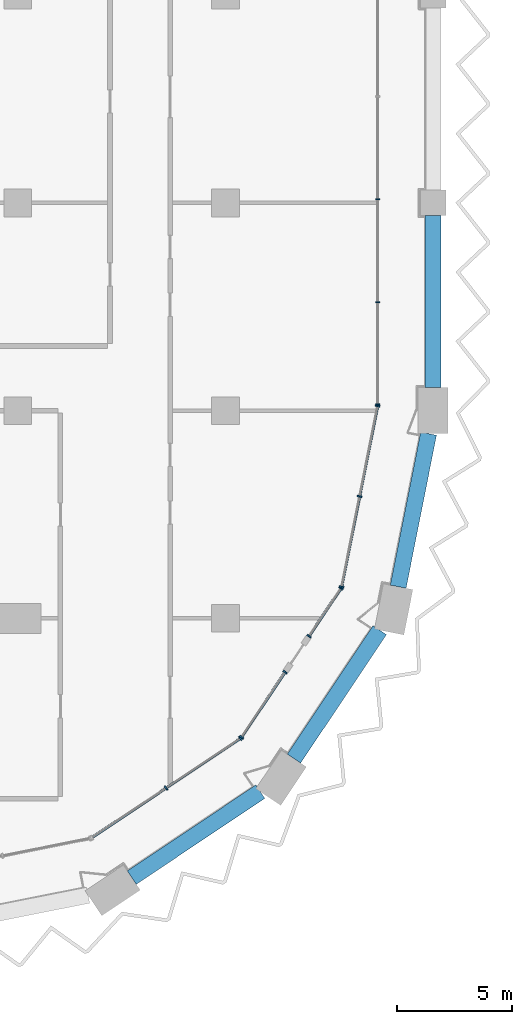
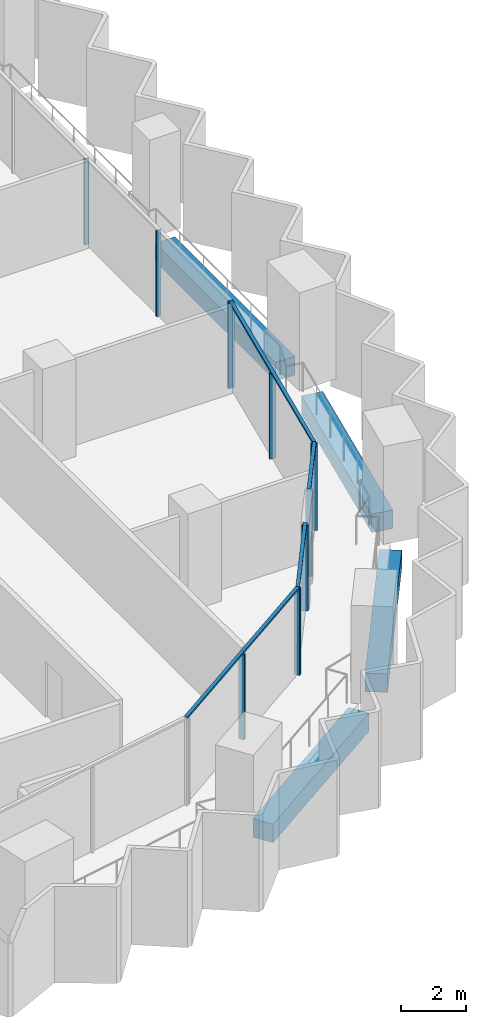
# One storey, part 4 of 23: 16 members, 4 beams, 5 elements without a shape of their own.
"""IFC4 building model written with IfcOpenShell, lengths in metres."""

from ifc_helpers import new_model, si_unit, direction, frame, origin, origin_2d, place, context, subcontext, project, spatial, rectangle, extrude, material, material_profile, profile_set, type_object, element, aggregate, save


model = new_model("IFC4")

# Units and contexts
model_context = context("Model", 3, precision=1e-05, world=origin(), true_north=direction((0.0, 1.0)))
body_context = subcontext(model_context, "Body", "Model", "MODEL_VIEW")
ifc_project = project(units=[si_unit("LENGTHUNIT", "METRE"), si_unit("AREAUNIT", "SQUARE_METRE"), si_unit("VOLUMEUNIT", "CUBIC_METRE"), si_unit("PLANEANGLEUNIT", "RADIAN"), si_unit("MASSUNIT", "GRAM", prefix="KILO")], contexts=[model_context])

# Site, building, storey
site_placement = place(None, origin())
site = spatial("IfcSite", under=ifc_project, at=site_placement, CompositionType="ELEMENT")
building_placement = place(site_placement, origin())
building = spatial("IfcBuilding", under=site, at=building_placement, Name="Hunhe Ridgeline Campus", CompositionType="ELEMENT")
storey_placement = place(building_placement, frame((0.0, 0.0, 167.10009765625)))
storey = spatial("IfcBuildingStorey", under=building, at=storey_placement, Name="L42", CompositionType="ELEMENT", Elevation=167.10009765625)

# Curtain wall, members
ifc_material_1 = material(Name="Aluminium 6063", Category="aluminium")
curtain_wall_type_1 = type_object("IfcCurtainWallType", Name="Curtain wall CW-1", PredefinedType="NOTDEFINED", material=ifc_material_1)
curtain_wall_1_placement = place(storey_placement, origin())
curtain_wall_1 = element("IfcCurtainWall", 1, at=curtain_wall_1_placement, inside=storey, type_object=curtain_wall_type_1, Name="Curtain wall 11", PredefinedType="NOTDEFINED")
ifc_material_profile_1 = material_profile(ifc_material_1, rectangle(XDim=0.159912109375, YDim=0.06005859375, at=origin_2d()))
ifc_profile_set_1 = profile_set([ifc_material_profile_1], Name="Aluminium 6063")
member_type_1 = type_object("IfcMemberType", Name="CW-1 aluminium mullion", PredefinedType="MULLION", material=ifc_profile_set_1)
member_1_placement = place(storey_placement, frame((42.59912109375, 27.266357421875, 0.0), z_axis=(0.0, 0.0, 1.0), x_axis=(-0.99999999999, 4.408911e-06, 0.0)))
member_1 = element("IfcMember", 2, at=member_1_placement, type_object=member_type_1, Name="CW-1 mullion 1", PredefinedType="MULLION", context=body_context, shape_type="SweptSolid", body=[
    extrude(rectangle(XDim=0.159912109375, YDim=0.06005859375, at=origin_2d()), origin(), (0.0, 0.0, 1.0), 3.239990234375),
])
member_2_placement = place(storey_placement, frame((42.59912109375, 31.697021484375, 0.0), z_axis=(0.0, 0.0, 1.0), x_axis=(-0.99999999999, 4.408911e-06, 0.0)))
member_2 = element("IfcMember", 3, at=member_2_placement, type_object=member_type_1, Name="CW-1 mullion 2", PredefinedType="MULLION", context=body_context, shape_type="SweptSolid", body=[
    extrude(rectangle(XDim=0.159912109375, YDim=0.06005859375, at=origin_2d()), origin(), (0.0, 0.0, 1.0), 3.239990234375),
])
member_3_placement = place(storey_placement, frame((42.59912109375, 36.15771484375, 0.0), z_axis=(0.0, 0.0, 1.0), x_axis=(-0.99999999999, 4.408911e-06, 0.0)))
member_3 = element("IfcMember", 4, at=member_3_placement, type_object=member_type_1, Name="CW-1 mullion 3", PredefinedType="MULLION", context=body_context, shape_type="SweptSolid", body=[
    extrude(rectangle(XDim=0.159912109375, YDim=0.06005859375, at=origin_2d()), origin(), (0.0, 0.0, 1.0), 3.239990234375),
])
aggregate(curtain_wall_1, [member_1, member_2, member_3])

curtain_wall_type_2 = type_object("IfcCurtainWallType", Name="Curtain wall CW-5", PredefinedType="NOTDEFINED", material=ifc_material_1)
curtain_wall_2_placement = place(storey_placement, origin())
curtain_wall_2 = element("IfcCurtainWall", 5, at=curtain_wall_2_placement, inside=storey, type_object=curtain_wall_type_2, Name="Curtain wall 07", PredefinedType="NOTDEFINED")
ifc_material_profile_2 = material_profile(ifc_material_1, rectangle(XDim=0.199951171875, YDim=0.070068359375, at=origin_2d()))
ifc_profile_set_2 = profile_set([ifc_material_profile_2], Name="Aluminium 6063")
member_type_2 = type_object("IfcMemberType", Name="CW-5 aluminium mullion", PredefinedType="MULLION", material=ifc_profile_set_2)
member_4_placement = place(storey_placement, frame((33.42626953125, 10.647705078125, 0.0), z_axis=(0.0, 0.0, 1.0), x_axis=(-0.555570274596, 0.831469584522, 0.0)))
member_4 = element("IfcMember", 6, at=member_4_placement, type_object=member_type_2, Name="CW-5 mullion 2", PredefinedType="MULLION", context=body_context, shape_type="SweptSolid", body=[
    extrude(rectangle(XDim=0.199951171875, YDim=0.070068359375, at=origin_2d()), origin(), (0.0, 0.0, 1.0), 3.22998046875),
])
member_5_placement = place(storey_placement, frame((36.649658203125, 12.8017578125, 0.0), z_axis=(0.0, 0.0, 1.0), x_axis=(-0.555570274596, 0.831469584522, 0.0)))
member_5 = element("IfcMember", 7, at=member_5_placement, type_object=member_type_2, Name="CW-5 mullion 3", PredefinedType="MULLION", context=body_context, shape_type="SweptSolid", body=[
    extrude(rectangle(XDim=0.199951171875, YDim=0.070068359375, at=origin_2d()), origin(), (0.0, 0.0, 1.0), 3.22998046875),
])

curtain_wall_3_placement = place(storey_placement, origin())
curtain_wall_3 = element("IfcCurtainWall", 8, at=curtain_wall_3_placement, inside=storey, type_object=curtain_wall_type_2, Name="Curtain wall 08", PredefinedType="NOTDEFINED")
member_6_placement = place(storey_placement, frame((36.6982421875, 12.850341796875, 0.0), z_axis=(0.0, 0.0, 1.0), x_axis=(-0.831469595944, 0.555570257501, 0.0)))
member_6 = element("IfcMember", 9, at=member_6_placement, type_object=member_type_2, Name="CW-5 mullion 1", PredefinedType="MULLION", context=body_context, shape_type="SweptSolid", body=[
    extrude(rectangle(XDim=0.199951171875, YDim=0.070068359375, at=origin_2d()), origin(), (0.0, 0.0, 1.0), 3.22998046875),
])
member_7_placement = place(storey_placement, frame((38.582763671875, 15.67041015625, 0.0), z_axis=(0.0, 0.0, 1.0), x_axis=(-0.831469595944, 0.555570257501, 0.0)))
member_7 = element("IfcMember", 10, at=member_7_placement, type_object=member_type_2, Name="CW-5 mullion 2", PredefinedType="MULLION", context=body_context, shape_type="SweptSolid", body=[
    extrude(rectangle(XDim=0.199951171875, YDim=0.070068359375, at=origin_2d()), origin(), (0.0, 0.0, 1.0), 3.22998046875),
])

curtain_wall_4_placement = place(storey_placement, origin())
curtain_wall_4 = element("IfcCurtainWall", 11, at=curtain_wall_4_placement, inside=storey, type_object=curtain_wall_type_2, Name="Curtain wall 09", PredefinedType="NOTDEFINED")
member_8_placement = place(storey_placement, frame((39.62158203125, 17.225341796875, 0.0), z_axis=(0.0, 0.0, 1.0), x_axis=(-0.831469510353, 0.555570385598, 0.0)))
member_8 = element("IfcMember", 12, at=member_8_placement, type_object=member_type_2, Name="CW-5 mullion 1", PredefinedType="MULLION", context=body_context, shape_type="SweptSolid", body=[
    extrude(rectangle(XDim=0.199951171875, YDim=0.070068359375, at=origin_2d()), origin(), (0.0, 0.0, 1.0), 3.22998046875),
])
member_9_placement = place(storey_placement, frame((41.006103515625, 19.29736328125, 0.0), z_axis=(0.0, 0.0, 1.0), x_axis=(-0.831469510353, 0.555570385598, 0.0)))
member_9 = element("IfcMember", 13, at=member_9_placement, type_object=member_type_2, Name="CW-5 mullion 2", PredefinedType="MULLION", context=body_context, shape_type="SweptSolid", body=[
    extrude(rectangle(XDim=0.199951171875, YDim=0.070068359375, at=origin_2d()), origin(), (0.0, 0.0, 1.0), 3.22998046875),
])

curtain_wall_5_placement = place(storey_placement, origin())
curtain_wall_5 = element("IfcCurtainWall", 14, at=curtain_wall_5_placement, inside=storey, type_object=curtain_wall_type_2, Name="Curtain wall 10", PredefinedType="NOTDEFINED")
member_10_placement = place(storey_placement, frame((41.032470703125, 19.36083984375, 0.0), z_axis=(0.0, 0.0, 1.0), x_axis=(-0.980785284939, 0.195090299215, 0.0)))
member_10 = element("IfcMember", 15, at=member_10_placement, type_object=member_type_2, Name="CW-5 mullion 1", PredefinedType="MULLION", context=body_context, shape_type="SweptSolid", body=[
    extrude(rectangle(XDim=0.199951171875, YDim=0.070068359375, at=origin_2d()), origin(), (0.0, 0.0, 1.0), 3.22998046875),
])
member_11_placement = place(storey_placement, frame((41.812255859375, 23.281494140625, 0.0), z_axis=(0.0, 0.0, 1.0), x_axis=(-0.980785284939, 0.195090299215, 0.0)))
member_11 = element("IfcMember", 16, at=member_11_placement, type_object=member_type_2, Name="CW-5 mullion 2", PredefinedType="MULLION", context=body_context, shape_type="SweptSolid", body=[
    extrude(rectangle(XDim=0.199951171875, YDim=0.070068359375, at=origin_2d()), origin(), (0.0, 0.0, 1.0), 3.22998046875),
])
member_12_placement = place(storey_placement, frame((42.59228515625, 27.2021484375, 0.0), z_axis=(0.0, 0.0, 1.0), x_axis=(-0.980785284939, 0.195090299215, 0.0)))
member_12 = element("IfcMember", 17, at=member_12_placement, type_object=member_type_2, Name="CW-5 mullion 3", PredefinedType="MULLION", context=body_context, shape_type="SweptSolid", body=[
    extrude(rectangle(XDim=0.199951171875, YDim=0.070068359375, at=origin_2d()), origin(), (0.0, 0.0, 1.0), 3.22998046875),
])

# Member
ifc_material_profile_3 = material_profile(ifc_material_1, rectangle(XDim=0.1201171875, YDim=0.070068359375, at=origin_2d()))
ifc_profile_set_3 = profile_set([ifc_material_profile_3], Name="Aluminium 6063")
member_type_3 = type_object("IfcMemberType", Name="CW-5 aluminium transom", PredefinedType="USERDEFINED", material=ifc_profile_set_3)
member_13_placement = place(storey_placement, frame((30.173583984375, 8.474365234375, 3.264892578125), z_axis=(0.831473763475, 0.5555640203, 0.0), x_axis=(-0.5555640203, 0.831473763475, 0.0)))
member_13 = element("IfcMember", 18, at=member_13_placement, type_object=member_type_3, Name="CW-5 transom 1", ObjectType="TRANSOM", PredefinedType="USERDEFINED", context=body_context, shape_type="SweptSolid", body=[
    extrude(rectangle(XDim=0.1201171875, YDim=0.070068359375, at=origin_2d()), origin(), (0.0, 0.0, 1.0), 7.823974609375),
])

aggregate(curtain_wall_2, [member_13, member_4, member_5])

member_14_placement = place(storey_placement, frame((36.678955078125, 12.821044921875, 3.264892578125), z_axis=(0.555546133463, 0.831485714606, 0.0), x_axis=(-0.831485714606, 0.555546133463, 0.0)))
member_14 = element("IfcMember", 19, at=member_14_placement, type_object=member_type_3, Name="CW-5 transom 1", ObjectType="TRANSOM", PredefinedType="USERDEFINED", context=body_context, shape_type="SweptSolid", body=[
    extrude(rectangle(XDim=0.1201171875, YDim=0.070068359375, at=origin_2d()), origin(), (0.0, 0.0, 1.0), 3.462158203125),
])

aggregate(curtain_wall_3, [member_14, member_6, member_7])

member_15_placement = place(storey_placement, frame((39.602294921875, 17.1962890625, 3.264892578125), z_axis=(0.555579547735, 0.831463388334, 0.0), x_axis=(-0.831463388334, 0.555579547735, 0.0)))
member_15 = element("IfcMember", 20, at=member_15_placement, type_object=member_type_3, Name="CW-5 transom 1", ObjectType="TRANSOM", PredefinedType="USERDEFINED", context=body_context, shape_type="SweptSolid", body=[
    extrude(rectangle(XDim=0.1201171875, YDim=0.070068359375, at=origin_2d()), origin(), (0.0, 0.0, 1.0), 2.56201171875),
])

aggregate(curtain_wall_4, [member_15, member_8, member_9])

member_16_placement = place(storey_placement, frame((41.025634765625, 19.326416015625, 3.264892578125), z_axis=(0.195097290093, 0.980783894341, 0.0), x_axis=(-0.980783894341, 0.195097290093, 0.0)))
member_16 = element("IfcMember", 21, at=member_16_placement, type_object=member_type_3, Name="CW-5 transom 1", ObjectType="TRANSOM", PredefinedType="USERDEFINED", context=body_context, shape_type="SweptSolid", body=[
    extrude(rectangle(XDim=0.1201171875, YDim=0.070068359375, at=origin_2d()), origin(), (0.0, 0.0, 1.0), 8.065185546875),
])

aggregate(curtain_wall_5, [member_16, member_10, member_11, member_12])

# Beams
ifc_material_2 = material(Name="Concrete C60", Category="concrete")
ifc_material_profile_4 = material_profile(ifc_material_2, rectangle(XDim=0.699951171875, YDim=0.699951171875, at=origin_2d()))
ifc_profile_set_4 = profile_set([ifc_material_profile_4], Name="Concrete C60")
beam_type = type_object("IfcBeamType", Name="RC spandrel beam 700x700 Concrete C60", PredefinedType="SPANDREL", material=ifc_profile_set_4)
for number, where, z_axis, x_axis, name in (
    (22, (31.94189453125, 6.768310546875, -0.60009765625), (0.831472141711, 0.555566447474, 0.0), (-0.555566447474, 0.831472141711, 0.0), "Spandrel beam B2-6 L42"),
    (23, (38.965576171875, 11.921630859375, -0.60009765625), (0.555566447474, 0.831472141711, 0.0), (-0.831472141711, 0.555566447474, 0.0), "Spandrel beam B2-7 L42"),
):
    element("IfcBeam", number, at=place(storey_placement, frame(where, z_axis=z_axis, x_axis=x_axis)), inside=storey, type_object=beam_type, Name=name, PredefinedType="SPANDREL", context=body_context, shape_type="SweptSolid", body=[
        extrude(rectangle(XDim=0.699951171875, YDim=0.699951171875, at=origin_2d()), origin(), (0.0, 0.0, 1.0), 6.69677734375),
    ])
beam_1_placement = place(storey_placement, frame((43.482421875, 19.370361328125, -0.60009765625), z_axis=(0.195074154586, 0.980788496166, 0.0), x_axis=(-0.980788496166, 0.195074154586, 0.0)))
element("IfcBeam", 24, at=beam_1_placement, inside=storey, type_object=beam_type, Name="Spandrel beam B2-8 L42", PredefinedType="SPANDREL", context=body_context, shape_type="SweptSolid", body=[
    extrude(rectangle(XDim=0.699951171875, YDim=0.699951171875, at=origin_2d()), origin(), (0.0, 0.0, 1.0), 6.759521484375),
])
beam_2_placement = place(storey_placement, frame((45.0, 28.0, -0.60009765625), z_axis=(0.0, 1.0, 0.0), x_axis=(-1.0, 0.0, 0.0)))
element("IfcBeam", 25, at=beam_2_placement, inside=storey, type_object=beam_type, Name="Spandrel beam B2-9 L42", PredefinedType="SPANDREL", context=body_context, shape_type="SweptSolid", body=[
    extrude(rectangle(XDim=0.699951171875, YDim=0.699951171875, at=origin_2d()), origin(), (0.0, 0.0, 1.0), 7.449951171875),
])

save(model, "model.ifc")
